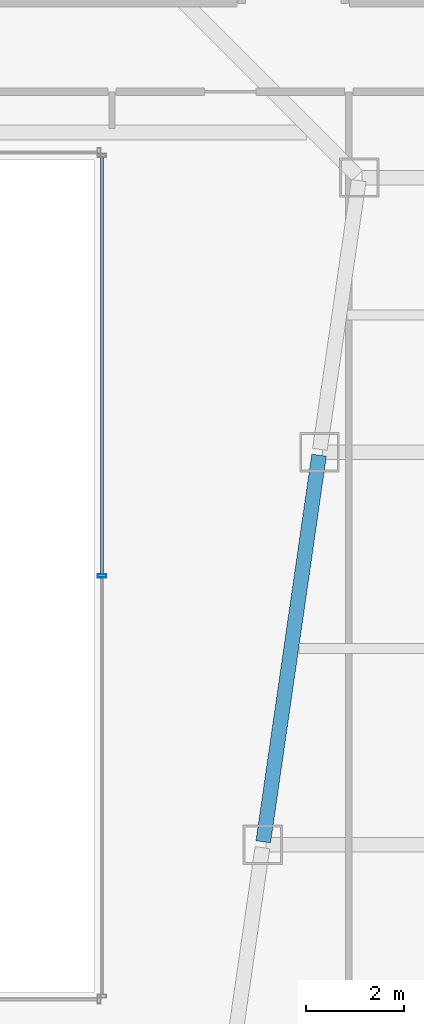
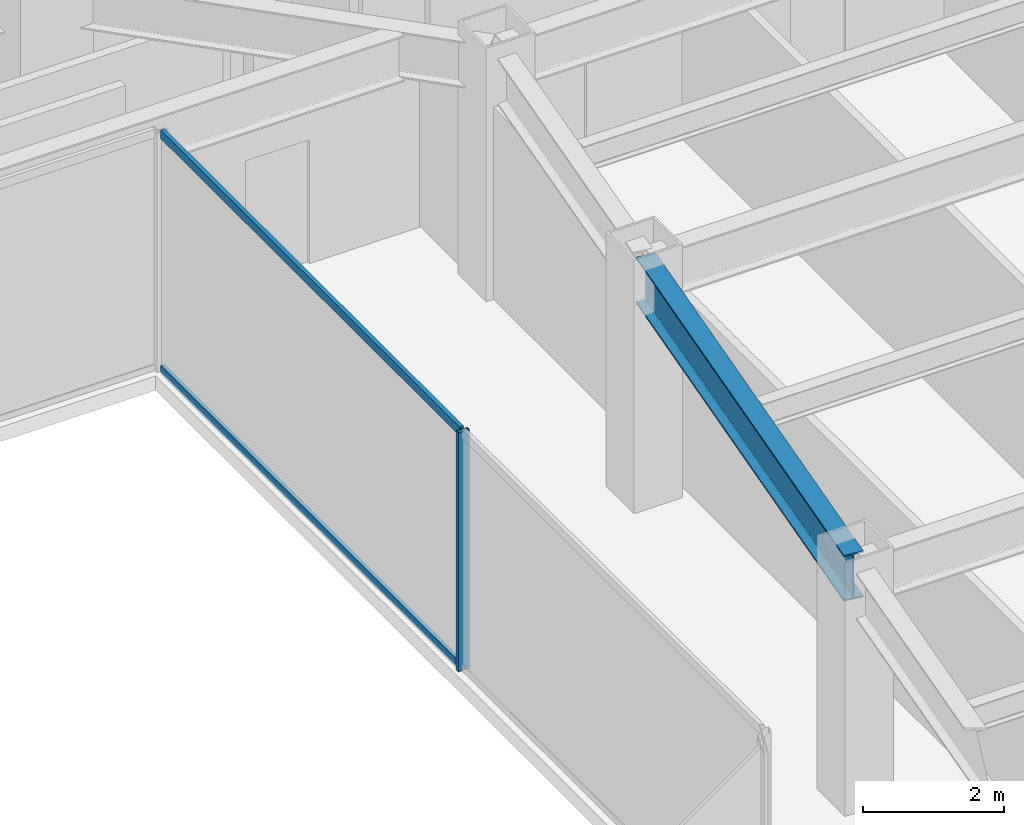
# One storey, part 20 of 47: 3 members, 1 beam, 1 element without a shape of its own.
"""IFC4 building model written with IfcOpenShell, lengths in metres."""

from ifc_helpers import new_model, si_unit, direction, frame, origin, origin_2d, place, context, subcontext, project, spatial, hollow_rectangle, i_section, extrude, material, material_profile, profile_set, type_object, element, aggregate, save


model = new_model("IFC4")

# Units and contexts
model_context = context("Model", 3, precision=1e-05, world=origin(), true_north=direction((0.0, 1.0)))
body_context = subcontext(model_context, "Body", "Model", "MODEL_VIEW")
ifc_project = project(units=[si_unit("LENGTHUNIT", "METRE"), si_unit("AREAUNIT", "SQUARE_METRE"), si_unit("VOLUMEUNIT", "CUBIC_METRE"), si_unit("PLANEANGLEUNIT", "RADIAN"), si_unit("MASSUNIT", "GRAM", prefix="KILO")], contexts=[model_context])

# Site, building, storey
site_placement = place(None, origin())
site = spatial("IfcSite", under=ifc_project, at=site_placement, CompositionType="ELEMENT")
building_placement = place(site_placement, origin())
building = spatial("IfcBuilding", under=site, at=building_placement, Name="Saevonmaru Cultural Tower", CompositionType="ELEMENT")
storey_placement = place(building_placement, frame((0.0, 0.0, 56.0)))
storey = spatial("IfcBuildingStorey", under=building, at=storey_placement, Name="L11", CompositionType="ELEMENT", Elevation=56.0)

# Beam
ifc_material_1 = material(Name="Steel SM420", Category="steel")
ifc_material_profile_1 = material_profile(ifc_material_1, i_section(OverallWidth=0.300048828125, OverallDepth=0.800048828125, WebThickness=0.013916015625, FlangeThickness=0.02587890625, FilletRadius=0.028076171875, at=origin_2d()), Name="H-800x300x14x26")
ifc_profile_set_1 = profile_set([ifc_material_profile_1], Name="Steel SM420")
beam_type = type_object("IfcBeamType", Name="BM-G-H800", PredefinedType="BEAM", material=ifc_profile_set_1)
beam_placement = place(storey_placement, frame((39.236572265625, 24.059326171875, 3.75), z_axis=(0.142902032203, 0.989736838353, 0.0), x_axis=(-0.989736838353, 0.142902032203, 0.0)))
element("IfcBeam", 1, at=beam_placement, inside=storey, type_object=beam_type, Name="L11 East Atrium Girder 4", PredefinedType="BEAM", context=body_context, shape_type="SweptSolid", body=[
    extrude(i_section(OverallWidth=0.300048828125, OverallDepth=0.800048828125, WebThickness=0.013916015625, FlangeThickness=0.02587890625, FilletRadius=0.028076171875, at=origin_2d()), origin(), (0.0, 0.0, 1.0), 7.963134765625),
])

# Curtain wall, members
ifc_material_2 = material(Name="Satin Bronze Anodised Aluminium", Category="aluminium")
curtain_wall_type = type_object("IfcCurtainWallType", Name="CW-ATR-GLZ", PredefinedType="NOTDEFINED", material=ifc_material_2)
curtain_wall_placement = place(storey_placement, origin())
curtain_wall = element("IfcCurtainWall", 2, at=curtain_wall_placement, inside=storey, type_object=curtain_wall_type, Name="L11 Vertical Atrium Glazed Smoke Screen 2", PredefinedType="NOTDEFINED")
ifc_material_profile_2 = material_profile(ifc_material_2, hollow_rectangle(XDim=0.06494140625, YDim=0.179931640625, WallThickness=0.00390625, at=origin_2d()), Name="ALU-MULL-180x65x4")
ifc_profile_set_2 = profile_set([ifc_material_profile_2], Name="Satin Bronze Anodised Aluminium")
member_type_1 = type_object("IfcMemberType", Name="ML-CW-INT-180x65", PredefinedType="MULLION", material=ifc_profile_set_2)
member_1_placement = place(storey_placement, frame((35.949951171875, 29.47998046875, 0.0), z_axis=(0.0, 0.0, 1.0), x_axis=(0.0, 1.0, 0.0)))
member_1 = element("IfcMember", 3, at=member_1_placement, type_object=member_type_1, Name="CW-ATR-L11-2 mullion 2", PredefinedType="MULLION", context=body_context, shape_type="SweptSolid", body=[
    extrude(hollow_rectangle(XDim=0.06494140625, YDim=0.179931640625, WallThickness=0.00390625, at=origin_2d()), origin(), (0.0, 0.0, 1.0), 4.14990234375),
])
ifc_material_profile_3 = material_profile(ifc_material_2, hollow_rectangle(XDim=0.06494140625, YDim=0.14990234375, WallThickness=0.00390625, at=origin_2d()), Name="ALU-TRAN-150x65x4")
ifc_profile_set_3 = profile_set([ifc_material_profile_3], Name="Satin Bronze Anodised Aluminium")
member_type_2 = type_object("IfcMemberType", Name="TR-CW-INT-150x65", PredefinedType="USERDEFINED", material=ifc_profile_set_3)
member_2_placement = place(storey_placement, frame((35.949951171875, 29.512451171875, 0.032470703125), z_axis=(0.0, 1.0, 0.0), x_axis=(-1.0, 0.0, 0.0)))
member_2 = element("IfcMember", 4, at=member_2_placement, type_object=member_type_2, Name="CW-ATR-L11-2 transom 2.1", ObjectType="TRANSOM", PredefinedType="USERDEFINED", context=body_context, shape_type="SweptSolid", body=[
    extrude(hollow_rectangle(XDim=0.06494140625, YDim=0.14990234375, WallThickness=0.00390625, at=origin_2d()), origin(), (0.0, 0.0, 1.0), 8.505126953125),
])
member_3_placement = place(storey_placement, frame((35.949951171875, 29.512451171875, 4.117431640625), z_axis=(0.0, 1.0, 0.0), x_axis=(-1.0, 0.0, 0.0)))
member_3 = element("IfcMember", 5, at=member_3_placement, type_object=member_type_2, Name="CW-ATR-L11-2 transom 2.2", ObjectType="TRANSOM", PredefinedType="USERDEFINED", context=body_context, shape_type="SweptSolid", body=[
    extrude(hollow_rectangle(XDim=0.06494140625, YDim=0.14990234375, WallThickness=0.00390625, at=origin_2d()), origin(), (0.0, 0.0, 1.0), 8.505126953125),
])
aggregate(curtain_wall, [member_1, member_2, member_3])

save(model, "model.ifc")
